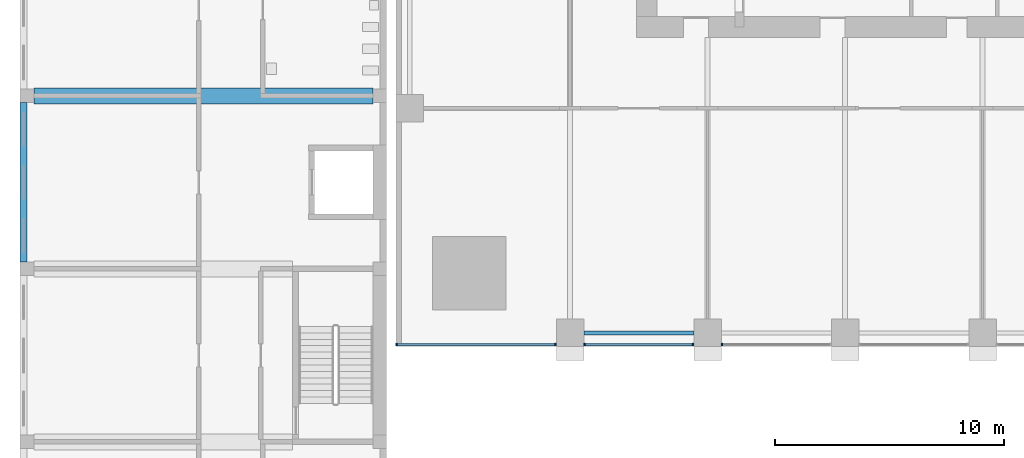
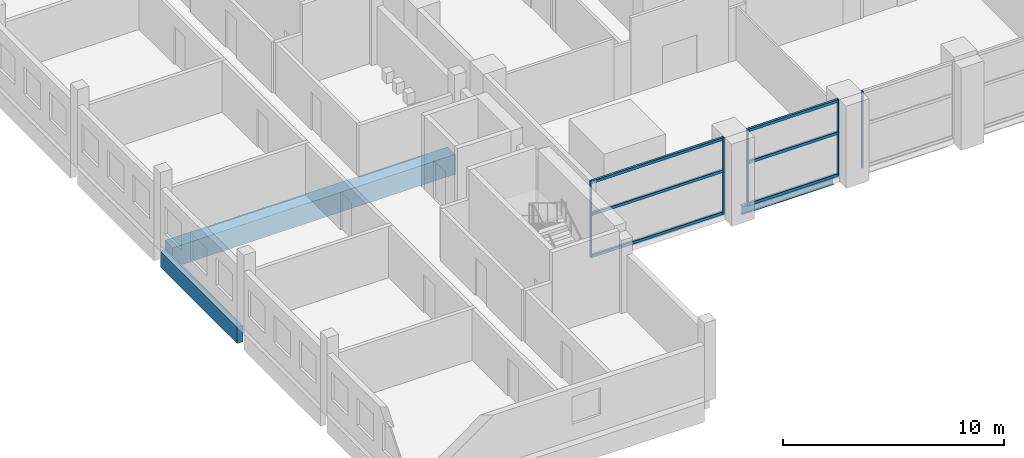
# One storey, part 2 of 24: 11 members, 3 beams, 3 elements without a shape of their own.
"""IFC4 building model written with IfcOpenShell, lengths in metres."""

from ifc_helpers import new_model, si_unit, direction, frame, origin, origin_2d, place, context, subcontext, project, spatial, rectangle, i_section, extrude, material, material_profile, profile_set, type_object, element, aggregate, save


model = new_model("IFC4")

# Units and contexts
model_context = context("Model", 3, precision=1e-05, world=origin(), true_north=direction((0.0, 1.0)))
body_context = subcontext(model_context, "Body", "Model", "MODEL_VIEW")
ifc_project = project(units=[si_unit("LENGTHUNIT", "METRE"), si_unit("AREAUNIT", "SQUARE_METRE"), si_unit("VOLUMEUNIT", "CUBIC_METRE"), si_unit("PLANEANGLEUNIT", "RADIAN"), si_unit("MASSUNIT", "GRAM", prefix="KILO")], contexts=[model_context])

# Site, building, storey
site_placement = place(None, origin())
site = spatial("IfcSite", under=ifc_project, at=site_placement, CompositionType="ELEMENT")
building_placement = place(site_placement, origin())
building = spatial("IfcBuilding", under=site, at=building_placement, Name="Amberfall Residences", CompositionType="ELEMENT")
storey_placement = place(building_placement, frame((0.0, 0.0, 19.0)))
storey = spatial("IfcBuildingStorey", under=building, at=storey_placement, Name="L04", CompositionType="ELEMENT", Elevation=19.0)

# Curtain wall, members
ifc_material_1 = material(Name="Bronze anodised aluminium and glass", Category="aluminium")
curtain_wall_type = type_object("IfcCurtainWallType", Name="Curtain wall CW4 podium storefront", PredefinedType="USERDEFINED", material=ifc_material_1)
curtain_wall_1_placement = place(storey_placement, origin())
curtain_wall_1 = element("IfcCurtainWall", 1, at=curtain_wall_1_placement, inside=storey, type_object=curtain_wall_type, Name="Storefront L04 S1", ObjectType="UNITISED CURTAIN WALL", PredefinedType="USERDEFINED")
ifc_material_2 = material(Name="Bronze anodised aluminium", Category="aluminium")
ifc_material_profile_1 = material_profile(ifc_material_2, rectangle(XDim=0.1201171875, YDim=0.070068359375, at=origin_2d()), Name="CW4 mullion 70 x 120 bronze")
ifc_profile_set_1 = profile_set([ifc_material_profile_1], Name="Bronze anodised aluminium")
member_type_1 = type_object("IfcMemberType", Name="CW4 mullion 70 x 120 bronze", PredefinedType="MULLION", material=ifc_profile_set_1)
member_1_placement = place(storey_placement, frame((52.034912109375, 20.10009765625, 0.0), z_axis=(0.0, 0.0, 1.0), x_axis=(0.0, 1.0, 0.0)))
member_1 = element("IfcMember", 2, at=member_1_placement, type_object=member_type_1, Name="CW4 mullion 1", PredefinedType="MULLION", context=body_context, shape_type="SweptSolid", body=[
    extrude(rectangle(XDim=0.1201171875, YDim=0.070068359375, at=origin_2d()), origin(), (0.0, 0.0, 1.0), 4.25),
])
member_2_placement = place(storey_placement, frame((58.965087890625, 20.10009765625, 0.0), z_axis=(0.0, 0.0, 1.0), x_axis=(0.0, 1.0, 0.0)))
member_2 = element("IfcMember", 3, at=member_2_placement, type_object=member_type_1, Name="CW4 mullion 2", PredefinedType="MULLION", context=body_context, shape_type="SweptSolid", body=[
    extrude(rectangle(XDim=0.1201171875, YDim=0.070068359375, at=origin_2d()), origin(), (0.0, 0.0, 1.0), 4.25),
])

curtain_wall_2_placement = place(storey_placement, origin())
curtain_wall_2 = element("IfcCurtainWall", 4, at=curtain_wall_2_placement, inside=storey, type_object=curtain_wall_type, Name="Storefront L04 S2", ObjectType="UNITISED CURTAIN WALL", PredefinedType="USERDEFINED")
member_3_placement = place(storey_placement, frame((60.235107421875, 20.10009765625, 0.0), z_axis=(0.0, 0.0, 1.0), x_axis=(0.0, 1.0, 0.0)))
member_3 = element("IfcMember", 5, at=member_3_placement, type_object=member_type_1, Name="CW4 mullion 1", PredefinedType="MULLION", context=body_context, shape_type="SweptSolid", body=[
    extrude(rectangle(XDim=0.1201171875, YDim=0.070068359375, at=origin_2d()), origin(), (0.0, 0.0, 1.0), 4.25),
])
member_4_placement = place(storey_placement, frame((64.965087890625, 20.10009765625, 0.0), z_axis=(0.0, 0.0, 1.0), x_axis=(0.0, 1.0, 0.0)))
member_4 = element("IfcMember", 6, at=member_4_placement, type_object=member_type_1, Name="CW4 mullion 2", PredefinedType="MULLION", context=body_context, shape_type="SweptSolid", body=[
    extrude(rectangle(XDim=0.1201171875, YDim=0.070068359375, at=origin_2d()), origin(), (0.0, 0.0, 1.0), 4.25),
])

# Curtain wall, member
curtain_wall_3_placement = place(storey_placement, origin())
curtain_wall_3 = element("IfcCurtainWall", 7, at=curtain_wall_3_placement, inside=storey, type_object=curtain_wall_type, Name="Storefront L04 S3", ObjectType="UNITISED CURTAIN WALL", PredefinedType="USERDEFINED")
member_5_placement = place(storey_placement, frame((66.235107421875, 20.10009765625, 0.0), z_axis=(0.0, 0.0, 1.0), x_axis=(0.0, 1.0, 0.0)))
member_5 = element("IfcMember", 8, at=member_5_placement, type_object=member_type_1, Name="CW4 mullion 1", PredefinedType="MULLION", context=body_context, shape_type="SweptSolid", body=[
    extrude(rectangle(XDim=0.1201171875, YDim=0.070068359375, at=origin_2d()), origin(), (0.0, 0.0, 1.0), 4.25),
])
aggregate(curtain_wall_3, [member_5])

# Member
ifc_material_profile_2 = material_profile(ifc_material_2, rectangle(XDim=0.1201171875, YDim=0.14990234375, at=origin_2d()), Name="CW4 transom 120 x 150 bronze")
ifc_profile_set_2 = profile_set([ifc_material_profile_2], Name="Bronze anodised aluminium")
member_type_2 = type_object("IfcMemberType", Name="CW4 transom 120 x 150 bronze", PredefinedType="USERDEFINED", material=ifc_profile_set_2)
member_6_placement = place(storey_placement, frame((52.070068359375, 20.10009765625, 0.074951171875), z_axis=(1.0, 0.0, 0.0), x_axis=(0.0, 1.0, 0.0)))
member_6 = element("IfcMember", 9, at=member_6_placement, type_object=member_type_2, Name="CW4 transom 1.1", ObjectType="TRANSOM", PredefinedType="USERDEFINED", context=body_context, shape_type="SweptSolid", body=[
    extrude(rectangle(XDim=0.1201171875, YDim=0.14990234375, at=origin_2d()), origin(), (0.0, 0.0, 1.0), 6.85986328125),
])

member_7_placement = place(storey_placement, frame((52.070068359375, 20.10009765625, 2.39990234375), z_axis=(1.0, 0.0, 0.0), x_axis=(0.0, 1.0, 0.0)))
member_7 = element("IfcMember", 10, at=member_7_placement, type_object=member_type_2, Name="CW4 transom 1.2", ObjectType="TRANSOM", PredefinedType="USERDEFINED", context=body_context, shape_type="SweptSolid", body=[
    extrude(rectangle(XDim=0.1201171875, YDim=0.14990234375, at=origin_2d()), origin(), (0.0, 0.0, 1.0), 6.85986328125),
])

member_8_placement = place(storey_placement, frame((52.070068359375, 20.10009765625, 4.175048828125), z_axis=(1.0, 0.0, 0.0), x_axis=(0.0, 1.0, 0.0)))
member_8 = element("IfcMember", 11, at=member_8_placement, type_object=member_type_2, Name="CW4 transom 1.3", ObjectType="TRANSOM", PredefinedType="USERDEFINED", context=body_context, shape_type="SweptSolid", body=[
    extrude(rectangle(XDim=0.1201171875, YDim=0.14990234375, at=origin_2d()), origin(), (0.0, 0.0, 1.0), 6.85986328125),
])

aggregate(curtain_wall_1, [member_1, member_2, member_6, member_7, member_8])

member_9_placement = place(storey_placement, frame((60.27001953125, 20.10009765625, 0.074951171875), z_axis=(1.0, 0.0, 0.0), x_axis=(0.0, 1.0, 0.0)))
member_9 = element("IfcMember", 12, at=member_9_placement, type_object=member_type_2, Name="CW4 transom 1.1", ObjectType="TRANSOM", PredefinedType="USERDEFINED", context=body_context, shape_type="SweptSolid", body=[
    extrude(rectangle(XDim=0.1201171875, YDim=0.14990234375, at=origin_2d()), origin(), (0.0, 0.0, 1.0), 4.659912109375),
])

member_10_placement = place(storey_placement, frame((60.27001953125, 20.10009765625, 2.39990234375), z_axis=(1.0, 0.0, 0.0), x_axis=(0.0, 1.0, 0.0)))
member_10 = element("IfcMember", 13, at=member_10_placement, type_object=member_type_2, Name="CW4 transom 1.2", ObjectType="TRANSOM", PredefinedType="USERDEFINED", context=body_context, shape_type="SweptSolid", body=[
    extrude(rectangle(XDim=0.1201171875, YDim=0.14990234375, at=origin_2d()), origin(), (0.0, 0.0, 1.0), 4.659912109375),
])

member_11_placement = place(storey_placement, frame((60.27001953125, 20.10009765625, 4.175048828125), z_axis=(1.0, 0.0, 0.0), x_axis=(0.0, 1.0, 0.0)))
member_11 = element("IfcMember", 14, at=member_11_placement, type_object=member_type_2, Name="CW4 transom 1.3", ObjectType="TRANSOM", PredefinedType="USERDEFINED", context=body_context, shape_type="SweptSolid", body=[
    extrude(rectangle(XDim=0.1201171875, YDim=0.14990234375, at=origin_2d()), origin(), (0.0, 0.0, 1.0), 4.659912109375),
])

aggregate(curtain_wall_2, [member_3, member_4, member_9, member_10, member_11])

# Beams
ifc_material_3 = material(Name="Steel S355", Category="steel")
ifc_material_profile_3 = material_profile(ifc_material_3, i_section(OverallWidth=0.18994140625, OverallDepth=0.453369140625, WebThickness=0.008544921875, FlangeThickness=0.0126953125, FilletRadius=0.01025390625, at=origin_2d()), Name="UB 457x191x67")
ifc_profile_set_3 = profile_set([ifc_material_profile_3], Name="Steel S355")
beam_type_1 = type_object("IfcBeamType", Name="Edge beam UB 457x191x67", PredefinedType="SPANDREL", material=ifc_profile_set_3)
beam_1_placement = place(storey_placement, frame((60.199951171875, 20.60009765625, -0.526611328125), z_axis=(1.0, 0.0, 0.0), x_axis=(0.0, 1.0, 0.0)))
element("IfcBeam", 15, at=beam_1_placement, inside=storey, type_object=beam_type_1, Name="Edge beam B1 L04 01", PredefinedType="SPANDREL", context=body_context, shape_type="SweptSolid", body=[
    extrude(i_section(OverallWidth=0.18994140625, OverallDepth=0.453369140625, WebThickness=0.008544921875, FlangeThickness=0.0126953125, FilletRadius=0.01025390625, at=origin_2d()), origin(), (0.0, 0.0, 1.0), 4.800048828125),
])
ifc_material_4 = material(Name="Concrete C40", Category="concrete")
ifc_material_profile_4 = material_profile(ifc_material_4, rectangle(XDim=0.699951171875, YDim=1.10009765625, at=origin_2d()), Name="School beam 700 x 1100 C40")
ifc_profile_set_4 = profile_set([ifc_material_profile_4], Name="Concrete C40")
beam_type_2 = type_object("IfcBeamType", Name="School beam 700 x 1100 C40", PredefinedType="BEAM", material=ifc_profile_set_4)
beam_2_placement = place(storey_placement, frame((36.199951171875, 30.949951171875, -0.85009765625), z_axis=(1.0, 0.0, 0.0), x_axis=(0.0, 1.0, 0.0)))
element("IfcBeam", 16, at=beam_2_placement, inside=storey, type_object=beam_type_2, Name="TW3", PredefinedType="BEAM", context=body_context, shape_type="SweptSolid", body=[
    extrude(rectangle(XDim=0.699951171875, YDim=1.10009765625, at=origin_2d()), origin(), (0.0, 0.0, 1.0), 14.800048828125),
])
ifc_material_profile_5 = material_profile(ifc_material_4, rectangle(XDim=0.300048828125, YDim=0.89990234375, at=origin_2d()), Name="School edge beam 300 x 900 C40")
ifc_profile_set_5 = profile_set([ifc_material_profile_5], Name="Concrete C40")
beam_type_3 = type_object("IfcBeamType", Name="School edge beam 300 x 900 C40", PredefinedType="BEAM", material=ifc_profile_set_5)
beam_3_placement = place(storey_placement, frame((35.75, 23.699951171875, -0.75), z_axis=(0.0, 1.0, 0.0), x_axis=(-1.0, 0.0, 0.0)))
element("IfcBeam", 17, at=beam_3_placement, inside=storey, type_object=beam_type_3, Name="GW2", PredefinedType="BEAM", context=body_context, shape_type="SweptSolid", body=[
    extrude(rectangle(XDim=0.300048828125, YDim=0.89990234375, at=origin_2d()), origin(), (0.0, 0.0, 1.0), 6.949951171875),
])

save(model, "model.ifc")
